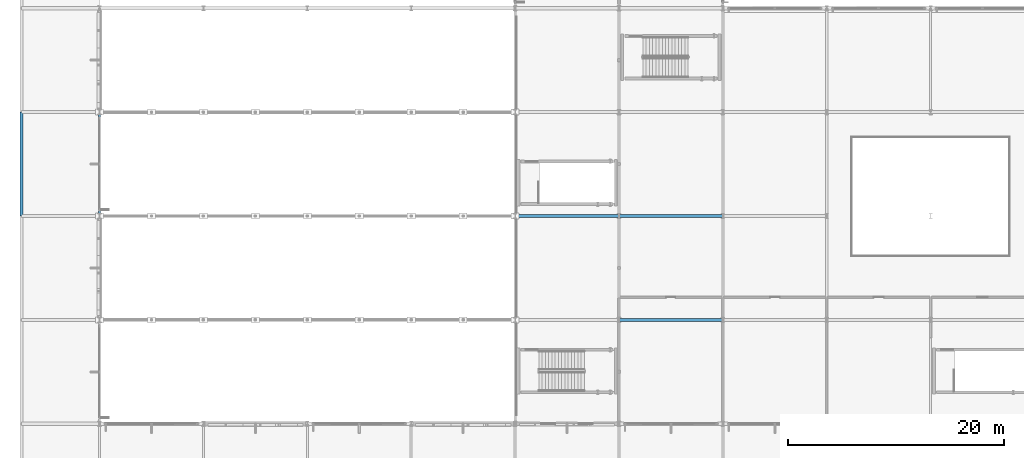
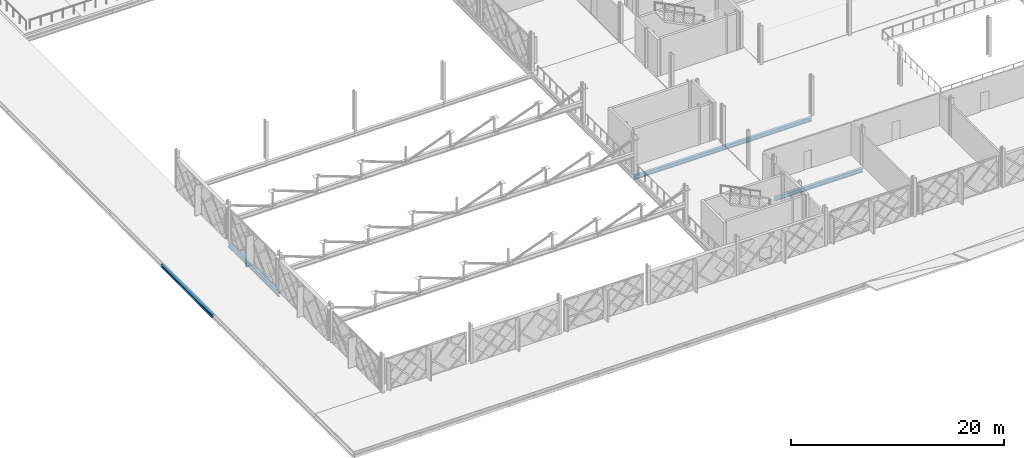
# One storey, part 31 of 101: 5 beams.
"""IFC4 building model written with IfcOpenShell, lengths in metres."""

from ifc_helpers import new_model, si_unit, direction, frame, origin, origin_2d, place, context, subcontext, project, spatial, i_section, extrude, material, material_profile, profile_set, type_object, element, save


model = new_model("IFC4")

# Units and contexts
model_context = context("Model", 3, precision=1e-05, world=origin(), true_north=direction((0.0, 1.0)))
body_context = subcontext(model_context, "Body", "Model", "MODEL_VIEW")
ifc_project = project(units=[si_unit("LENGTHUNIT", "METRE"), si_unit("AREAUNIT", "SQUARE_METRE"), si_unit("VOLUMEUNIT", "CUBIC_METRE"), si_unit("PLANEANGLEUNIT", "RADIAN"), si_unit("MASSUNIT", "GRAM", prefix="KILO")], contexts=[model_context])

# Site, building, storey
site_placement = place(None, origin())
site = spatial("IfcSite", under=ifc_project, at=site_placement, CompositionType="ELEMENT")
building_placement = place(site_placement, origin())
building = spatial("IfcBuilding", under=site, at=building_placement, Name="Zevrakil Square Congress Hotel", CompositionType="ELEMENT")
storey_placement = place(building_placement, frame((0.0, 0.0, 5.39990234375)))
storey = spatial("IfcBuildingStorey", under=building, at=storey_placement, Name="L02", CompositionType="ELEMENT", Elevation=5.39990234375)

# Beams
ifc_material_1 = material(Name="Steel S355", Category="steel")
ifc_material_profile_1 = material_profile(ifc_material_1, i_section(OverallWidth=0.300048828125, OverallDepth=0.43994140625, WebThickness=0.011474609375, FlangeThickness=0.02099609375, FilletRadius=0.027099609375, at=origin_2d()), Name="HEA 450")
ifc_profile_set_1 = profile_set([ifc_material_profile_1], Name="Steel S355")
beam_type_1 = type_object("IfcBeamType", Name="BM-HEA450", PredefinedType="BEAM", material=ifc_profile_set_1)
beam_1_placement = place(storey_placement, frame((55.199951171875, 16.800048828125, -0.47998046875), z_axis=(1.0, 0.0, 0.0), x_axis=(0.0, 1.0, 0.0)))
element("IfcBeam", 1, at=beam_1_placement, inside=storey, type_object=beam_type_1, Name="L02 primary girder BX-0694", PredefinedType="BEAM", context=body_context, shape_type="SweptSolid", body=[
    extrude(i_section(OverallWidth=0.300048828125, OverallDepth=0.43994140625, WebThickness=0.011474609375, FlangeThickness=0.02099609375, FilletRadius=0.027099609375, at=origin_2d()), origin(), (0.0, 0.0, 1.0), 9.60009765625),
])
beam_2_placement = place(storey_placement, frame((45.60009765625, 26.39990234375, -0.47998046875), z_axis=(1.0, 0.0, 0.0), x_axis=(0.0, 1.0, 0.0)))
element("IfcBeam", 2, at=beam_2_placement, inside=storey, type_object=beam_type_1, Name="L02 primary girder BX-0708", PredefinedType="BEAM", context=body_context, shape_type="SweptSolid", body=[
    extrude(i_section(OverallWidth=0.300048828125, OverallDepth=0.43994140625, WebThickness=0.011474609375, FlangeThickness=0.02099609375, FilletRadius=0.027099609375, at=origin_2d()), origin(), (0.0, 0.0, 1.0), 9.599853515625),
])
beam_3_placement = place(storey_placement, frame((55.199951171875, 26.39990234375, -0.47998046875), z_axis=(1.0, 0.0, 0.0), x_axis=(0.0, 1.0, 0.0)))
element("IfcBeam", 3, at=beam_3_placement, inside=storey, type_object=beam_type_1, Name="L02 primary girder BX-0709", PredefinedType="BEAM", context=body_context, shape_type="SweptSolid", body=[
    extrude(i_section(OverallWidth=0.300048828125, OverallDepth=0.43994140625, WebThickness=0.011474609375, FlangeThickness=0.02099609375, FilletRadius=0.027099609375, at=origin_2d()), origin(), (0.0, 0.0, 1.0), 9.60009765625),
])
ifc_material_2 = material(Name="Steel S355", Category="steel")
ifc_material_profile_2 = material_profile(ifc_material_2, i_section(OverallWidth=0.199951171875, OverallDepth=0.5, WebThickness=0.01025390625, FlangeThickness=0.01611328125, FilletRadius=0.02099609375, at=origin_2d()), Name="IPE 500")
ifc_profile_set_2 = profile_set([ifc_material_profile_2], Name="Steel S355")
beam_type_2 = type_object("IfcBeamType", Name="BM-IPE500", PredefinedType="BEAM", material=ifc_profile_set_2)
beam_4_placement = place(storey_placement, frame((7.199951171875, 26.39990234375, -0.510009765625), z_axis=(0.0, 1.0, 0.0), x_axis=(-1.0, 0.0, 0.0)))
element("IfcBeam", 4, at=beam_4_placement, inside=storey, type_object=beam_type_2, Name="L02 primary girder BY-0833", PredefinedType="BEAM", context=body_context, shape_type="SweptSolid", body=[
    extrude(i_section(OverallWidth=0.199951171875, OverallDepth=0.5, WebThickness=0.01025390625, FlangeThickness=0.01611328125, FilletRadius=0.02099609375, at=origin_2d()), origin(), (0.0, 0.0, 1.0), 9.60009765625),
])
ifc_material_3 = material(Name="Steel S355", Category="steel")
ifc_material_profile_3 = material_profile(ifc_material_3, i_section(OverallWidth=0.300048828125, OverallDepth=0.300048828125, WebThickness=0.010986328125, FlangeThickness=0.01904296875, FilletRadius=0.027099609375, at=origin_2d()), Name="HEB 300")
ifc_profile_set_3 = profile_set([ifc_material_profile_3], Name="Steel S355")
beam_type_3 = type_object("IfcBeamType", Name="SPD-RHS250", PredefinedType="SPANDREL", material=ifc_profile_set_3)
beam_5_placement = place(storey_placement, frame((0.0, 26.39990234375, -0.409912109375), z_axis=(0.0, 1.0, 0.0), x_axis=(-1.0, 0.0, 0.0)))
element("IfcBeam", 5, at=beam_5_placement, inside=storey, type_object=beam_type_3, Name="L02 primary girder BY-0821", PredefinedType="SPANDREL", context=body_context, shape_type="SweptSolid", body=[
    extrude(i_section(OverallWidth=0.300048828125, OverallDepth=0.300048828125, WebThickness=0.010986328125, FlangeThickness=0.01904296875, FilletRadius=0.027099609375, at=origin_2d()), origin(), (0.0, 0.0, 1.0), 9.60009765625),
])

save(model, "model.ifc")
